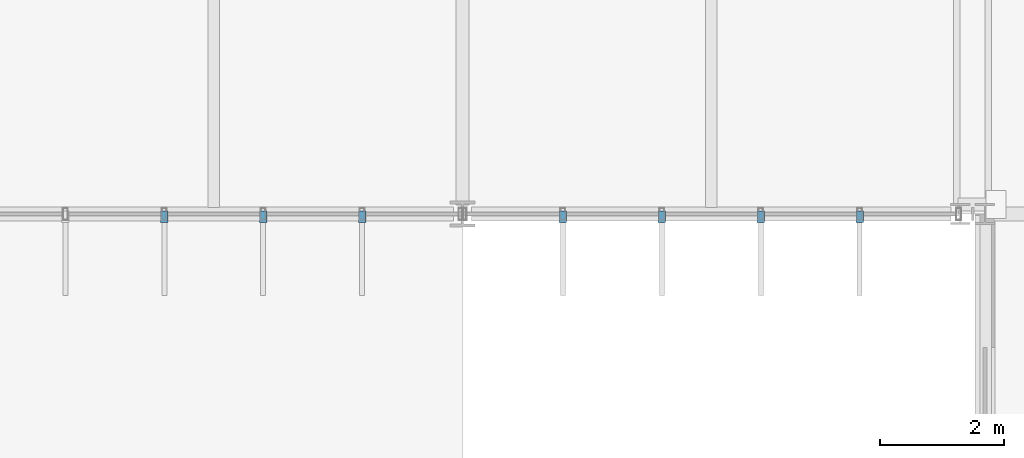
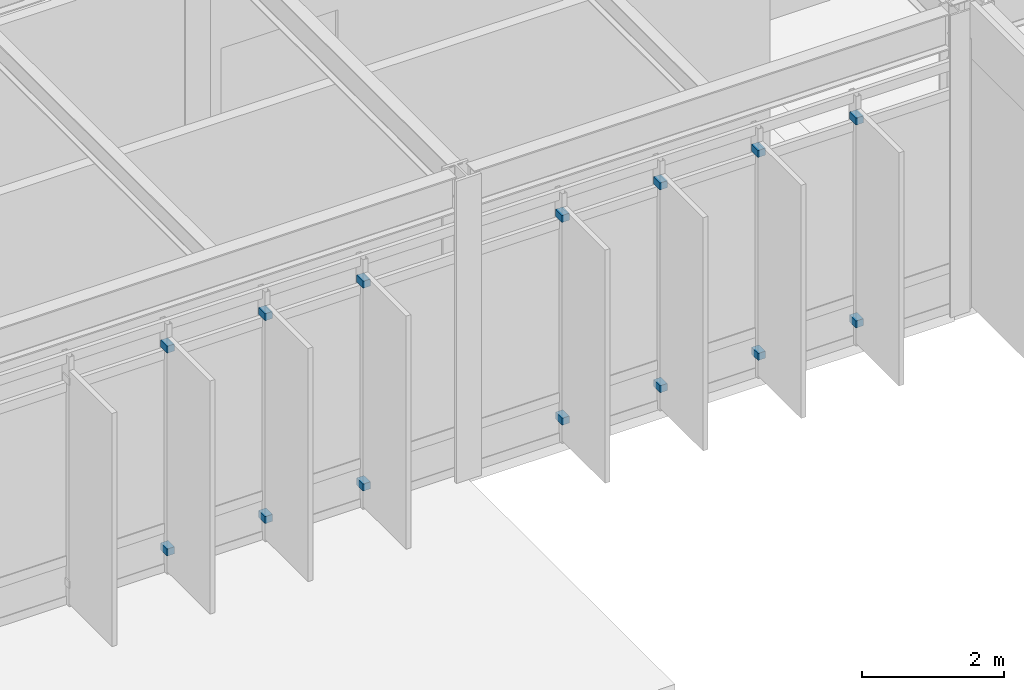
# One storey, part 84 of 94: 14 discrete accessories.
"""IFC4 building model written with IfcOpenShell, lengths in metres."""

from ifc_helpers import new_model, si_unit, direction, frame, origin, origin_2d, place, context, subcontext, project, spatial, rectangle, extrude, material, layer, layer_set, type_object, element, save


model = new_model("IFC4")

# Units and contexts
model_context = context("Model", 3, precision=1e-05, world=origin(), true_north=direction((0.0, 1.0)))
body_context = subcontext(model_context, "Body", "Model", "MODEL_VIEW")
ifc_project = project(units=[si_unit("LENGTHUNIT", "METRE"), si_unit("AREAUNIT", "SQUARE_METRE"), si_unit("VOLUMEUNIT", "CUBIC_METRE"), si_unit("PLANEANGLEUNIT", "RADIAN"), si_unit("MASSUNIT", "GRAM", prefix="KILO")], contexts=[model_context])

# Site, building, storey
site_placement = place(None, origin())
site = spatial("IfcSite", under=ifc_project, at=site_placement, CompositionType="ELEMENT")
building_placement = place(site_placement, origin())
building = spatial("IfcBuilding", under=site, at=building_placement, Name="Zulena Civic Courthouse", CompositionType="ELEMENT")
storey_placement = place(building_placement, frame((0.0, 0.0, 5.39990234375)))
storey = spatial("IfcBuildingStorey", under=building, at=storey_placement, Name="L01", CompositionType="ELEMENT", Elevation=5.39990234375)

# Discrete accessories
ifc_material = material(Name="Gold anodised architectural aluminium AA6063-T6", Category="aluminium")
ifc_layer = layer(ifc_material, 0.1201171875)
ifc_layer_set = layer_set([ifc_layer], Name="Gold anodised architectural aluminium AA6063-T6")
discrete_accessory_type = type_object("IfcDiscreteAccessoryType", Name="FinOutriggerBracket", PredefinedType="BRACKET", material=ifc_layer_set)
for number, where, z_axis, x_axis, name in (
    (1, (122.385498046875, 15.155029296875, 0.340087890625), (0.0, 0.0, 1.0), (0.0, -1.0, 0.0), "brk:V4:L01:3:0:1:5.80"),
    (2, (122.385498046875, 15.155029296875, 3.820068359375), (0.0, 0.0, 1.0), (0.0, -1.0, 0.0), "brk:V4:L01:3:0:1:9.28"),
    (3, (120.795166015625, 15.155029296875, 0.340087890625), (0.0, 0.0, 1.0), (0.0, -1.0, 0.0), "brk:V4:L01:3:0:2:5.80"),
    (4, (120.795166015625, 15.155029296875, 3.820068359375), (0.0, 0.0, 1.0), (0.0, -1.0, 0.0), "brk:V4:L01:3:0:2:9.28"),
    (5, (119.204833984375, 15.155029296875, 0.340087890625), (0.0, 0.0, 1.0), (0.0, -1.0, 0.0), "brk:V4:L01:3:0:3:5.80"),
    (6, (119.204833984375, 15.155029296875, 3.820068359375), (0.0, 0.0, 1.0), (0.0, -1.0, 0.0), "brk:V4:L01:3:0:3:9.28"),
    (7, (117.614501953125, 15.155029296875, 0.340087890625), (0.0, 0.0, 1.0), (0.0, -1.0, 0.0), "brk:V4:L01:3:0:4:5.80"),
    (8, (117.614501953125, 15.155029296875, 3.820068359375), (0.0, 0.0, 1.0), (0.0, -1.0, 0.0), "brk:V4:L01:3:0:4:9.28"),
    (9, (114.385498046875, 15.155029296875, 0.340087890625), (0.0, 0.0, 1.0), (0.0, -1.0, 0.0), "brk:V4:L01:3:1:1:5.80"),
    (10, (114.385498046875, 15.155029296875, 3.820068359375), (0.0, 0.0, 1.0), (0.0, -1.0, 0.0), "brk:V4:L01:3:1:1:9.28"),
    (11, (112.795166015625, 15.155029296875, 0.340087890625), (0.0, 0.0, 1.0), (0.0, -1.0, 0.0), "brk:V4:L01:3:1:2:5.80"),
    (12, (112.795166015625, 15.155029296875, 3.820068359375), (0.0, 0.0, 1.0), (0.0, -1.0, 0.0), "brk:V4:L01:3:1:2:9.28"),
    (13, (111.204833984375, 15.155029296875, 0.340087890625), (0.0, 0.0, 1.0), (0.0, -1.0, 0.0), "brk:V4:L01:3:1:3:5.80"),
    (14, (111.204833984375, 15.155029296875, 3.820068359375), (0.0, 0.0, 1.0), (0.0, -1.0, 0.0), "brk:V4:L01:3:1:3:9.28"),
):
    element("IfcDiscreteAccessory", number, at=place(storey_placement, frame(where, z_axis=z_axis, x_axis=x_axis)), inside=storey, type_object=discrete_accessory_type, Name=name, PredefinedType="BRACKET", context=body_context, shape_type="SweptSolid", body=[
        extrude(rectangle(XDim=0.179931640625, YDim=0.1201171875, at=origin_2d()), origin(), (0.0, 0.0, 1.0), 0.1201171875),
    ])

save(model, "model.ifc")
